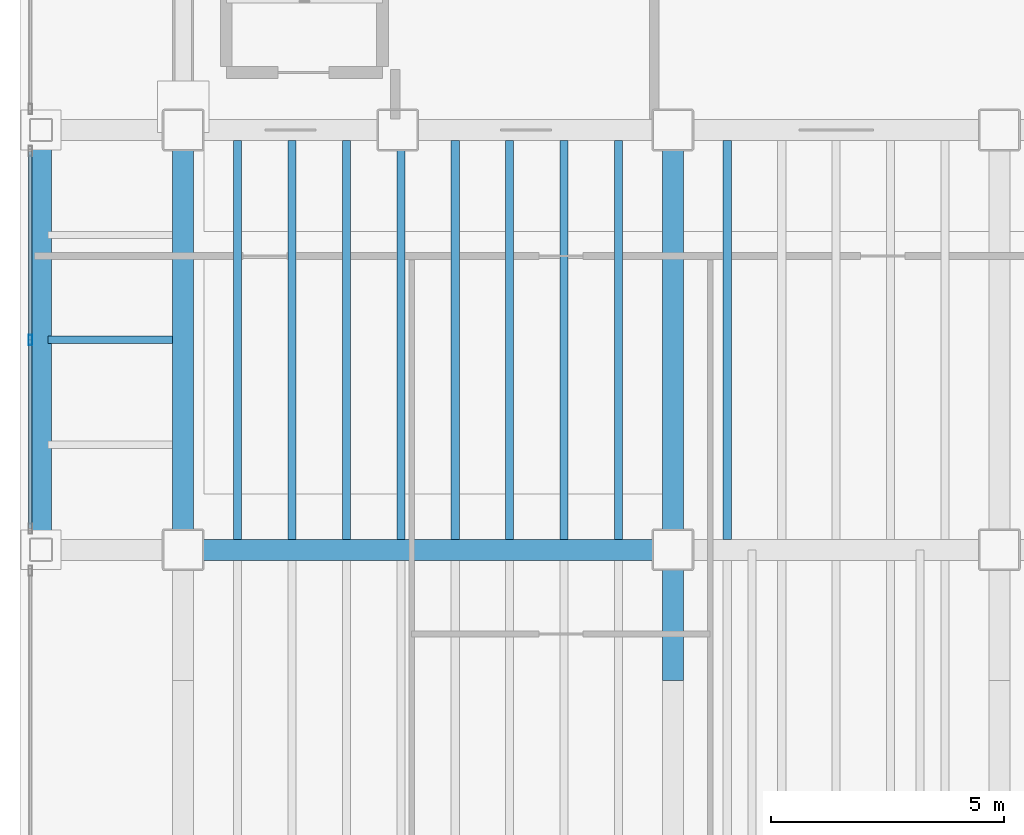
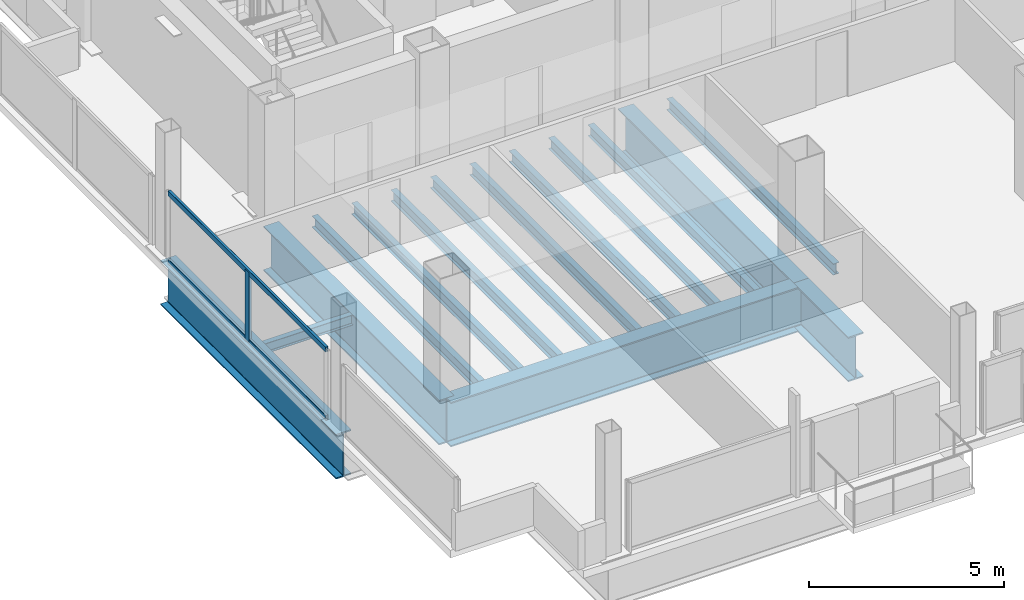
# One storey, part 3 of 17: 15 beams, 3 members, 1 element without a shape of its own.
"""IFC4 building model written with IfcOpenShell, lengths in metres."""

import ifcopenshell
import ifcopenshell.guid

model = None  # the IFC model being written
_history = None  # IfcOwnerHistory: only IFC2X3 demands one
_inside = {}  # id of a spatial element -> (the spatial element, [elements in it])
_under = {}  # id of a project, library or spatial element -> (it, [spatial elements below it])
_declared = {}  # id of a project -> (the project, [libraries it declares])
_typed = {}  # id of a type object -> (the type object, [elements of that type])
_made_of = {}  # id of a material, layer set ... -> (it, [elements and type objects made of it])


def new_model(schema):
    """Start an empty IFC model of exactly this schema.

    Asked for "IFC4X3", IfcOpenShell would pick the latest addendum, in which some entities
    have other attributes; the version numbers below select the first issue.
    IFC2X3 requires an IfcOwnerHistory on every rooted entity: one is made here for all.
    """
    global model, _history
    if schema == "IFC4X3":
        model = ifcopenshell.file(schema_version=(4, 3, 0, 0))
    else:
        model = ifcopenshell.file(schema=schema)
    _inside.clear()
    _under.clear()
    _declared.clear()
    _typed.clear()
    _made_of.clear()
    _history = None
    if model.schema == "IFC2X3":
        org = make("IfcOrganization", Name="unknown")
        user = make(
            "IfcPersonAndOrganization",
            ThePerson=make("IfcPerson", FamilyName="unknown"),
            TheOrganization=org,
        )
        app = make(
            "IfcApplication",
            ApplicationDeveloper=org,
            Version="unknown",
            ApplicationFullName="unknown",
            ApplicationIdentifier="unknown",
        )
        _history = make(
            "IfcOwnerHistory",
            OwningUser=user,
            OwningApplication=app,
            ChangeAction="ADDED",
            CreationDate=0,
        )
    return model


def make(cls, **values):
    """One entity of the class cls with the attributes given. An attribute that is None is left unset."""
    return model.create_entity(
        cls, **{name: value for name, value in values.items() if value is not None}
    )


def rooted(cls, **values):
    """An entity with a GlobalId (a new one), such as an element, a storey or a relation."""
    return make(cls, GlobalId=ifcopenshell.guid.new(), OwnerHistory=_history, **values)


def si_unit(unit_type, name, prefix=None):
    """IfcSIUnit, for example si_unit("LENGTHUNIT", "METRE", prefix="MILLI")."""
    return make("IfcSIUnit", UnitType=unit_type, Prefix=prefix, Name=name)


def assignment(units):
    """IfcUnitAssignment: the units of a project."""
    return None if units is None else make("IfcUnitAssignment", Units=units)


def point(xyz):
    """IfcCartesianPoint."""
    return None if xyz is None else make("IfcCartesianPoint", Coordinates=xyz)


def direction(xyz):
    """IfcDirection."""
    return None if xyz is None else make("IfcDirection", DirectionRatios=xyz)


def frame(location, z_axis=None, x_axis=None):
    """IfcAxis2Placement3D, a coordinate frame: its origin and axes. An axis left out is left unset."""
    return make(
        "IfcAxis2Placement3D",
        Location=point(location),
        Axis=direction(z_axis),
        RefDirection=direction(x_axis),
    )


def frame_2d(location, x_axis=None):
    """IfcAxis2Placement2D, a coordinate frame in the plane: its origin and x axis."""
    return make(
        "IfcAxis2Placement2D", Location=point(location), RefDirection=direction(x_axis)
    )


def origin():
    """The frame at (0, 0, 0) with its axes left unset."""
    return frame((0.0, 0.0, 0.0))


def origin_2d():
    """The frame at (0, 0) in the plane with its x axis left unset."""
    return frame_2d((0.0, 0.0))


def place(relative_to, where):
    """IfcLocalPlacement: puts the frame where relative to a parent placement (None: the world)."""
    return make(
        "IfcLocalPlacement", PlacementRelTo=relative_to, RelativePlacement=where
    )


def context(
    kind, dimensions, precision=None, world=None, true_north=None, identifier=None
):
    """IfcGeometricRepresentationContext, for example the 3D "Model" context."""
    return make(
        "IfcGeometricRepresentationContext",
        ContextIdentifier=identifier,
        ContextType=kind,
        CoordinateSpaceDimension=dimensions,
        Precision=precision,
        WorldCoordinateSystem=world,
        TrueNorth=true_north,
    )


def subcontext(parent, identifier, kind, view, scale=None):
    """IfcGeometricRepresentationSubContext, for example "Body" below "Model"."""
    return make(
        "IfcGeometricRepresentationSubContext",
        ContextIdentifier=identifier,
        ContextType=kind,
        ParentContext=parent,
        TargetScale=scale,
        TargetView=view,
    )


def project(units=None, contexts=None):
    """IfcProject with its units and contexts."""
    return rooted(
        "IfcProject",
        Name="project",
        RepresentationContexts=contexts,
        UnitsInContext=assignment(units),
    )


def spatial(cls, under=None, at=None, **own):
    """A site, building, storey or space (cls), placed at a placement, below another one or the project."""
    s = rooted(cls, ObjectPlacement=at, **own)
    if under is not None:
        _under.setdefault(under.id(), (under, []))[1].append(s)
    return s


def profile(cls, at=None, kind="AREA", **sizes):
    """A parametric profile (cls). Its sizes go by their IFC names, for example OverallWidth=200.0."""
    return make(cls, ProfileType=kind, Position=at, **sizes)


def hollow_rectangle(**sizes):
    """IfcRectangleHollowProfileDef."""
    return profile("IfcRectangleHollowProfileDef", **sizes)


def i_section(**sizes):
    """IfcIShapeProfileDef."""
    return profile("IfcIShapeProfileDef", **sizes)


def extrude(swept, where, along, depth):
    """IfcExtrudedAreaSolid: the profile swept, set in the frame where, extruded along a direction by depth."""
    return make(
        "IfcExtrudedAreaSolid",
        SweptArea=swept,
        Position=where,
        ExtrudedDirection=direction(along),
        Depth=depth,
    )


def shape(context_of_items, identifier, shape_type, items):
    """IfcShapeRepresentation: the items that make up one representation, for example the "Body"."""
    return make(
        "IfcShapeRepresentation",
        ContextOfItems=context_of_items,
        RepresentationIdentifier=identifier,
        RepresentationType=shape_type,
        Items=items,
    )


def material(Name=None, Category=None):
    """IfcMaterial."""
    return make("IfcMaterial", Name=Name, Category=Category)


def material_profile(
    of_material, cross_section, Name=None, Category=None, Priority=None
):
    """IfcMaterialProfile: a cross section and its material."""
    return make(
        "IfcMaterialProfile",
        Name=Name,
        Material=of_material,
        Profile=cross_section,
        Priority=Priority,
        Category=Category,
    )


def profile_set(profiles, Name=None, composite=None):
    """IfcMaterialProfileSet."""
    return make(
        "IfcMaterialProfileSet",
        Name=Name,
        MaterialProfiles=profiles,
        CompositeProfile=composite,
    )


def made_of(thing, what):
    """Note that an element or type object is made of a material, layer set ...; save() writes the relation."""
    if what is not None:
        _made_of.setdefault(what.id(), (what, []))[1].append(thing)
    return thing


def type_object(cls, material=None, **own):
    """A type object (cls), such as IfcWallType, which elements share."""
    return made_of(rooted(cls, **own), material)


def element(
    cls,
    number,
    at=None,
    inside=None,
    cuts=None,
    type_object=None,
    material=None,
    context=None,
    identifier="Body",
    shape_type=None,
    held_by="IfcProductDefinitionShape",
    body=None,
    shapes=None,
    **own,
):
    """One element of the class cls, such as IfcWall. Its Tag is "e" and its number.

    at: its placement. inside: the storey or other place that contains it. cuts: it is an
    opening in that element (IfcRelVoidsElement). A single representation is given by context,
    identifier, shape_type and body (its items); several are given by shapes. held_by: the class
    of the entity that holds the representations. save() writes the other relations.
    """
    e = rooted(cls, Tag="e%d" % number, ObjectPlacement=at, **own)
    if body is not None:
        shapes = [shape(context, identifier, shape_type, body)]
    if shapes is not None:
        e.Representation = make(held_by, Representations=shapes)
    if inside is not None:
        _inside.setdefault(inside.id(), (inside, []))[1].append(e)
    if cuts is not None:
        rooted(
            "IfcRelVoidsElement", RelatingBuildingElement=cuts, RelatedOpeningElement=e
        )
    if type_object is not None:
        _typed.setdefault(type_object.id(), (type_object, []))[1].append(e)
    return made_of(e, material)


def aggregate(whole, parts):
    """IfcRelAggregates: a whole, such as a stair, and the parts it consists of."""
    return rooted("IfcRelAggregates", RelatingObject=whole, RelatedObjects=parts)


def save(model, path):
    """Write the relations noted so far, then the file.

    IfcRelAggregates (storeys below a building ...), IfcRelContainedInSpatialStructure (elements
    in a storey), IfcRelDefinesByType, IfcRelAssociatesMaterial and IfcRelDeclares: one each for
    every whole, place, type object, material and project.
    """
    for whole, parts in _under.values():
        aggregate(whole, parts)
    for where, things in _inside.values():
        rooted(
            "IfcRelContainedInSpatialStructure",
            RelatedElements=things,
            RelatingStructure=where,
        )
    for kind, things in _typed.values():
        rooted("IfcRelDefinesByType", RelatedObjects=things, RelatingType=kind)
    for what, things in _made_of.values():
        rooted("IfcRelAssociatesMaterial", RelatedObjects=things, RelatingMaterial=what)
    for by, libraries in _declared.values():
        rooted("IfcRelDeclares", RelatingContext=by, RelatedDefinitions=libraries)
    model.write(path)


model = new_model("IFC4")

# Units and contexts
model_context = context("Model", 3, precision=1e-05, world=origin(), true_north=direction((0.0, 1.0)))
body_context = subcontext(model_context, "Body", "Model", "MODEL_VIEW")
ifc_project = project(units=[si_unit("LENGTHUNIT", "METRE"), si_unit("AREAUNIT", "SQUARE_METRE"), si_unit("VOLUMEUNIT", "CUBIC_METRE"), si_unit("PLANEANGLEUNIT", "RADIAN"), si_unit("MASSUNIT", "GRAM", prefix="KILO")], contexts=[model_context])

# Site, building, storey
site_placement = place(None, origin())
site = spatial("IfcSite", under=ifc_project, at=site_placement, CompositionType="ELEMENT")
building_placement = place(site_placement, origin())
building = spatial("IfcBuilding", under=site, at=building_placement, Name="Noeulbin Bourse Tower", CompositionType="ELEMENT")
storey_placement = place(building_placement, frame((0.0, 0.0, 196.800048828125)))
storey = spatial("IfcBuildingStorey", under=building, at=storey_placement, Name="L49", CompositionType="ELEMENT", Elevation=196.800048828125)

# Beams
ifc_material_1 = material(Name="Steel S355", Category="steel")
ifc_material_profile_1 = material_profile(ifc_material_1, i_section(OverallWidth=0.159912109375, OverallDepth=0.320068359375, WebThickness=0.006591796875, FlangeThickness=0.010009765625, FilletRadius=0.012939453125, at=origin_2d()), Name="H-320x160x6.5x10", Category="LoadBearing")
ifc_profile_set_1 = profile_set([ifc_material_profile_1], Name="Steel S355")
beam_type_1 = type_object("IfcBeamType", Name="BM-JST-320", PredefinedType="JOIST", material=ifc_profile_set_1)
beam_1_placement = place(storey_placement, frame((10.60009765625, 24.5, -0.400146484375), z_axis=(1.0, 0.0, 0.0), x_axis=(0.0, 1.0, 0.0)))
element("IfcBeam", 1, at=beam_1_placement, inside=storey, type_object=beam_type_1, Name="Wing Composite Joist L49-W48", PredefinedType="JOIST", context=body_context, shape_type="SweptSolid", body=[
    extrude(i_section(OverallWidth=0.159912109375, OverallDepth=0.320068359375, WebThickness=0.006591796875, FlangeThickness=0.010009765625, FilletRadius=0.012939453125, at=origin_2d()), origin(), (0.0, 0.0, 1.0), 2.6748046875),
])
ifc_material_profile_2 = material_profile(ifc_material_1, i_section(OverallWidth=0.175048828125, OverallDepth=0.35009765625, WebThickness=0.007080078125, FlangeThickness=0.010986328125, FilletRadius=0.013916015625, at=origin_2d()), Name="H-350x175x7x11", Category="LoadBearing")
ifc_profile_set_2 = profile_set([ifc_material_profile_2], Name="Steel S355")
beam_type_2 = type_object("IfcBeamType", Name="BM-JST-350", PredefinedType="JOIST", material=ifc_profile_set_2)
for number, where, z_axis, x_axis, name in (
    (2, (14.666748046875, 20.22509765625, -0.4150390625), (0.0, 1.0, 0.0), (-1.0, 0.0, 0.0), "Tower Composite Joist L49-02"),
    (3, (15.833251953125, 20.22509765625, -0.4150390625), (0.0, 1.0, 0.0), (-1.0, 0.0, 0.0), "Tower Composite Joist L49-04"),
    (4, (17.0, 20.22509765625, -0.4150390625), (0.0, 1.0, 0.0), (-1.0, 0.0, 0.0), "Tower Composite Joist L49-06"),
    (5, (18.166748046875, 20.22509765625, -0.4150390625), (0.0, 1.0, 0.0), (-1.0, 0.0, 0.0), "Tower Composite Joist L49-08"),
    (6, (19.333251953125, 20.22509765625, -0.4150390625), (0.0, 1.0, 0.0), (-1.0, 0.0, 0.0), "Tower Composite Joist L49-10"),
    (7, (20.5, 20.22509765625, -0.4150390625), (0.0, 1.0, 0.0), (-1.0, 0.0, 0.0), "Tower Composite Joist L49-12"),
    (8, (21.666748046875, 20.22509765625, -0.4150390625), (0.0, 1.0, 0.0), (-1.0, 0.0, 0.0), "Tower Composite Joist L49-14"),
    (9, (22.833251953125, 20.22509765625, -0.4150390625), (0.0, 1.0, 0.0), (-1.0, 0.0, 0.0), "Tower Composite Joist L49-16"),
    (10, (25.166748046875, 20.22509765625, -0.4150390625), (0.0, 1.0, 0.0), (-1.0, 0.0, 0.0), "Tower Composite Joist L49-18"),
):
    element("IfcBeam", number, at=place(storey_placement, frame(where, z_axis=z_axis, x_axis=x_axis)), inside=storey, type_object=beam_type_2, Name=name, PredefinedType="JOIST", context=body_context, shape_type="SweptSolid", body=[
        extrude(i_section(OverallWidth=0.175048828125, OverallDepth=0.35009765625, WebThickness=0.007080078125, FlangeThickness=0.010986328125, FilletRadius=0.013916015625, at=origin_2d()), origin(), (0.0, 0.0, 1.0), 8.5498046875),
    ])
ifc_material_2 = material(Name="Steel S460", Category="steel")
ifc_material_profile_3 = material_profile(ifc_material_2, i_section(OverallWidth=0.449951171875, OverallDepth=1.39990234375, WebThickness=0.02392578125, FlangeThickness=0.0400390625, FilletRadius=0.02392578125, at=origin_2d()), Name="PG-1400x450x24x40", Category="LoadBearing")
ifc_profile_set_3 = profile_set([ifc_material_profile_3], Name="Steel S460")
beam_type_3 = type_object("IfcBeamType", Name="BM-TRF-1400", PredefinedType="USERDEFINED", material=ifc_profile_set_3)
beam_2_placement = place(storey_placement, frame((13.5, 20.0, -0.93994140625), z_axis=(1.0, 0.0, 0.0), x_axis=(0.0, 1.0, 0.0)))
element("IfcBeam", 11, at=beam_2_placement, inside=storey, type_object=beam_type_3, Name="Tower Primary Girder EW L49-1.2", ObjectType="GIRDER", PredefinedType="USERDEFINED", context=body_context, shape_type="SweptSolid", body=[
    extrude(i_section(OverallWidth=0.449951171875, OverallDepth=1.39990234375, WebThickness=0.02392578125, FlangeThickness=0.0400390625, FilletRadius=0.02392578125, at=origin_2d()), origin(), (0.0, 0.0, 1.0), 10.5),
])
beam_3_placement = place(storey_placement, frame((13.5, 20.0, -0.93994140625), z_axis=(0.0, 1.0, 0.0), x_axis=(-1.0, 0.0, 0.0)))
element("IfcBeam", 12, at=beam_3_placement, inside=storey, type_object=beam_type_3, Name="Tower Primary Girder NS L49-1.4", ObjectType="GIRDER", PredefinedType="USERDEFINED", context=body_context, shape_type="SweptSolid", body=[
    extrude(i_section(OverallWidth=0.449951171875, OverallDepth=1.39990234375, WebThickness=0.02392578125, FlangeThickness=0.0400390625, FilletRadius=0.02392578125, at=origin_2d()), origin(), (0.0, 0.0, 1.0), 9.0),
])
beam_4_placement = place(storey_placement, frame((24.0, 17.199951171875, -0.93994140625), z_axis=(0.0, 1.0, 0.0), x_axis=(-1.0, 0.0, 0.0)))
element("IfcBeam", 13, at=beam_4_placement, inside=storey, type_object=beam_type_3, Name="Tower Primary Girder NS L49-2.3", ObjectType="GIRDER", PredefinedType="USERDEFINED", context=body_context, shape_type="SweptSolid", body=[
    extrude(i_section(OverallWidth=0.449951171875, OverallDepth=1.39990234375, WebThickness=0.02392578125, FlangeThickness=0.0400390625, FilletRadius=0.02392578125, at=origin_2d()), origin(), (0.0, 0.0, 1.0), 2.800048828125),
])
for number, where, z_axis, x_axis, name in (
    (14, (24.0, 20.0, -0.93994140625), (0.0, 1.0, 0.0), (-1.0, 0.0, 0.0), "Tower Primary Girder NS L49-2.4"),
    (15, (10.449951171875, 20.0, -0.93994140625), (0.0, 1.0, 0.0), (-1.0, 0.0, 0.0), "West Spandrel L49-1"),
):
    element("IfcBeam", number, at=place(storey_placement, frame(where, z_axis=z_axis, x_axis=x_axis)), inside=storey, type_object=beam_type_3, Name=name, ObjectType="GIRDER", PredefinedType="USERDEFINED", context=body_context, shape_type="SweptSolid", body=[
        extrude(i_section(OverallWidth=0.449951171875, OverallDepth=1.39990234375, WebThickness=0.02392578125, FlangeThickness=0.0400390625, FilletRadius=0.02392578125, at=origin_2d()), origin(), (0.0, 0.0, 1.0), 9.0),
    ])

# Curtain wall, members
ifc_material_3 = material(Name="Dark Tinted Triple Glazing", Category="glass")
curtain_wall_type = type_object("IfcCurtainWallType", Name="CW-SYS-3", PredefinedType="NOTDEFINED", material=ifc_material_3)
curtain_wall_placement = place(storey_placement, origin())
curtain_wall = element("IfcCurtainWall", 16, at=curtain_wall_placement, inside=storey, type_object=curtain_wall_type, Name="Unitised Curtain Wall CW-L49-W-S2", PredefinedType="NOTDEFINED")
ifc_material_4 = material(Name="Anodised Aluminium 6063-T6", Category="aluminium")
ifc_material_profile_4 = material_profile(ifc_material_4, hollow_rectangle(XDim=0.074951171875, YDim=0.219970703125, WallThickness=0.0048828125, InnerFilletRadius=0.00244140625, OuterFilletRadius=0.0048828125, at=origin_2d()), Name="ALU-MULL-75x220x5", Category="LoadBearing")
ifc_profile_set_4 = profile_set([ifc_material_profile_4], Name="Anodised Aluminium 6063-T6")
member_type_1 = type_object("IfcMemberType", Name="CW-SYS-3-MUL", PredefinedType="MULLION", material=ifc_profile_set_4)
member_1_placement = place(storey_placement, frame((10.219970703125, 24.5, -0.02001953125), z_axis=(0.0, 0.0, 1.0), x_axis=(1.0, 0.0, 0.0)))
member_1 = element("IfcMember", 17, at=member_1_placement, type_object=member_type_1, Name="Curtain Wall Mullion CW-L49-W-S2-M01", PredefinedType="MULLION", context=body_context, shape_type="SweptSolid", body=[
    extrude(hollow_rectangle(XDim=0.074951171875, YDim=0.219970703125, WallThickness=0.0048828125, InnerFilletRadius=0.00244140625, OuterFilletRadius=0.0048828125, at=origin_2d()), origin(), (0.0, 0.0, 1.0), 2.199951171875),
])
ifc_material_profile_5 = material_profile(ifc_material_4, hollow_rectangle(XDim=0.074951171875, YDim=0.159912109375, WallThickness=0.0048828125, InnerFilletRadius=0.00244140625, OuterFilletRadius=0.0048828125, at=origin_2d()), Name="ALU-TRAN-75x160x5", Category="LoadBearing")
ifc_profile_set_5 = profile_set([ifc_material_profile_5], Name="Anodised Aluminium 6063-T6")
member_type_2 = type_object("IfcMemberType", Name="CW-SYS-3-TRN", PredefinedType="USERDEFINED", material=ifc_profile_set_5)
member_2_placement = place(storey_placement, frame((10.219970703125, 20.4599609375, 0.010009765625), z_axis=(0.0, 1.0, 0.0), x_axis=(-1.0, 0.0, 0.0)))
member_2 = element("IfcMember", 18, at=member_2_placement, type_object=member_type_2, Name="Curtain Wall Transom CW-L49-W-S2-T00", ObjectType="TRANSOM", PredefinedType="USERDEFINED", context=body_context, shape_type="SweptSolid", body=[
    extrude(hollow_rectangle(XDim=0.074951171875, YDim=0.159912109375, WallThickness=0.0048828125, InnerFilletRadius=0.00244140625, OuterFilletRadius=0.0048828125, at=origin_2d()), origin(), (0.0, 0.0, 1.0), 8.080078125),
])
member_3_placement = place(storey_placement, frame((10.219970703125, 20.4599609375, 2.14990234375), z_axis=(0.0, 1.0, 0.0), x_axis=(-1.0, 0.0, 0.0)))
member_3 = element("IfcMember", 19, at=member_3_placement, type_object=member_type_2, Name="Curtain Wall Transom CW-L49-W-S2-T01", ObjectType="TRANSOM", PredefinedType="USERDEFINED", context=body_context, shape_type="SweptSolid", body=[
    extrude(hollow_rectangle(XDim=0.074951171875, YDim=0.159912109375, WallThickness=0.0048828125, InnerFilletRadius=0.00244140625, OuterFilletRadius=0.0048828125, at=origin_2d()), origin(), (0.0, 0.0, 1.0), 8.080078125),
])
aggregate(curtain_wall, [member_1, member_2, member_3])

save(model, "model.ifc")
